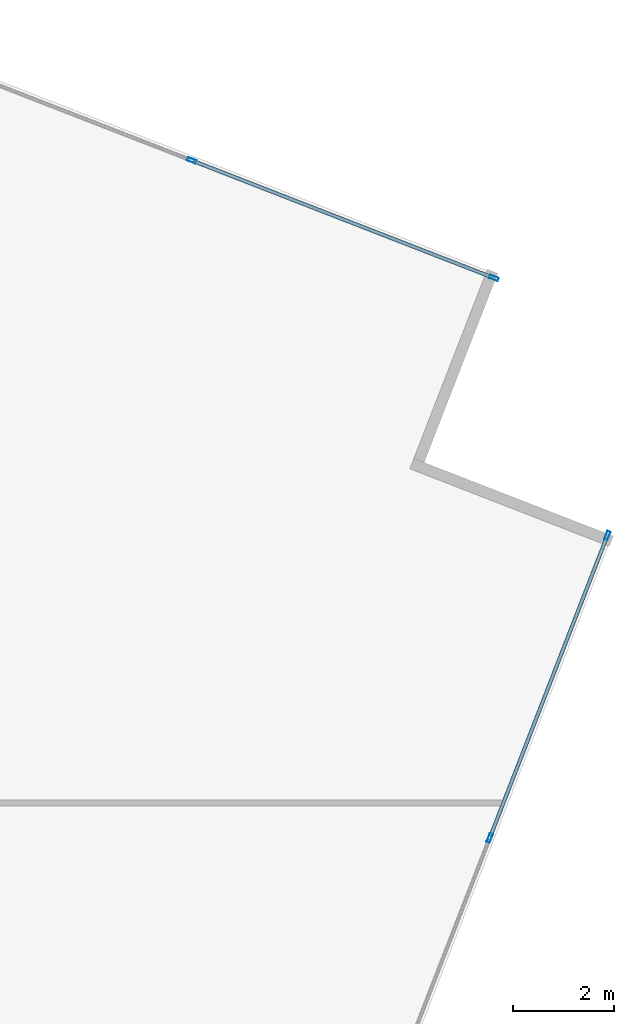
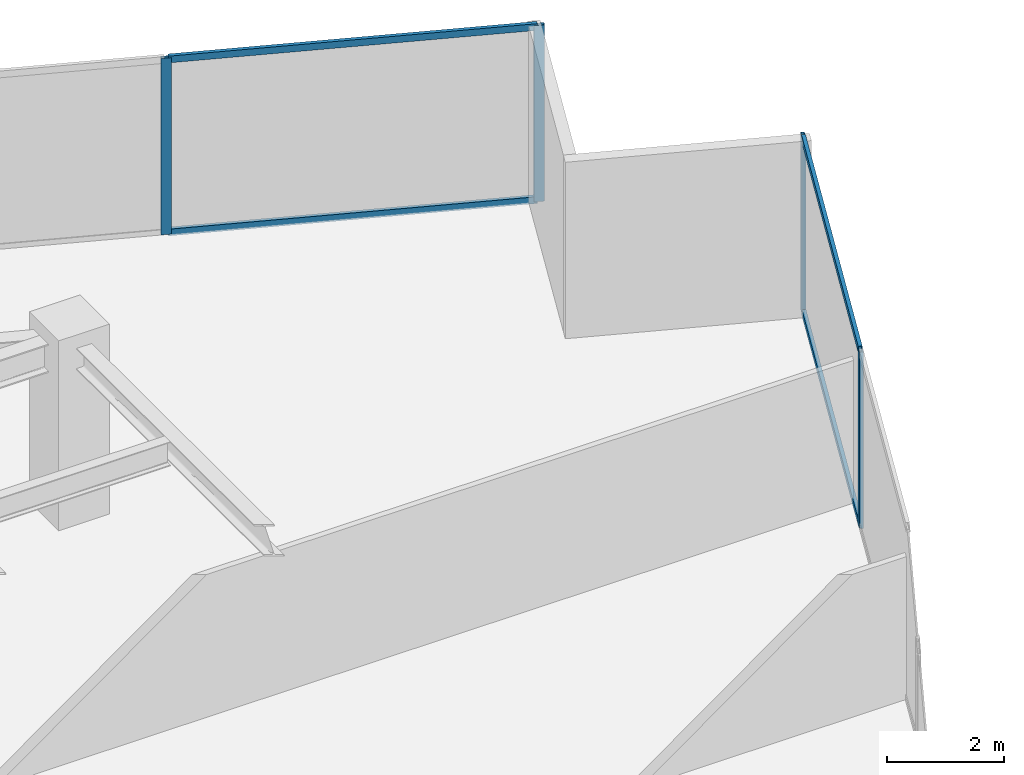
# One storey, part 19 of 26: 8 members, 2 elements without a shape of their own.
"""IFC4 building model written with IfcOpenShell, lengths in metres."""

import ifcopenshell
import ifcopenshell.guid

model = None  # the IFC model being written
_history = None  # IfcOwnerHistory: only IFC2X3 demands one
_inside = {}  # id of a spatial element -> (the spatial element, [elements in it])
_under = {}  # id of a project, library or spatial element -> (it, [spatial elements below it])
_declared = {}  # id of a project -> (the project, [libraries it declares])
_typed = {}  # id of a type object -> (the type object, [elements of that type])
_made_of = {}  # id of a material, layer set ... -> (it, [elements and type objects made of it])


def new_model(schema):
    """Start an empty IFC model of exactly this schema.

    Asked for "IFC4X3", IfcOpenShell would pick the latest addendum, in which some entities
    have other attributes; the version numbers below select the first issue.
    IFC2X3 requires an IfcOwnerHistory on every rooted entity: one is made here for all.
    """
    global model, _history
    if schema == "IFC4X3":
        model = ifcopenshell.file(schema_version=(4, 3, 0, 0))
    else:
        model = ifcopenshell.file(schema=schema)
    _inside.clear()
    _under.clear()
    _declared.clear()
    _typed.clear()
    _made_of.clear()
    _history = None
    if model.schema == "IFC2X3":
        org = make("IfcOrganization", Name="unknown")
        user = make(
            "IfcPersonAndOrganization",
            ThePerson=make("IfcPerson", FamilyName="unknown"),
            TheOrganization=org,
        )
        app = make(
            "IfcApplication",
            ApplicationDeveloper=org,
            Version="unknown",
            ApplicationFullName="unknown",
            ApplicationIdentifier="unknown",
        )
        _history = make(
            "IfcOwnerHistory",
            OwningUser=user,
            OwningApplication=app,
            ChangeAction="ADDED",
            CreationDate=0,
        )
    return model


def make(cls, **values):
    """One entity of the class cls with the attributes given. An attribute that is None is left unset."""
    return model.create_entity(
        cls, **{name: value for name, value in values.items() if value is not None}
    )


def rooted(cls, **values):
    """An entity with a GlobalId (a new one), such as an element, a storey or a relation."""
    return make(cls, GlobalId=ifcopenshell.guid.new(), OwnerHistory=_history, **values)


def si_unit(unit_type, name, prefix=None):
    """IfcSIUnit, for example si_unit("LENGTHUNIT", "METRE", prefix="MILLI")."""
    return make("IfcSIUnit", UnitType=unit_type, Prefix=prefix, Name=name)


def assignment(units):
    """IfcUnitAssignment: the units of a project."""
    return None if units is None else make("IfcUnitAssignment", Units=units)


def point(xyz):
    """IfcCartesianPoint."""
    return None if xyz is None else make("IfcCartesianPoint", Coordinates=xyz)


def direction(xyz):
    """IfcDirection."""
    return None if xyz is None else make("IfcDirection", DirectionRatios=xyz)


def frame(location, z_axis=None, x_axis=None):
    """IfcAxis2Placement3D, a coordinate frame: its origin and axes. An axis left out is left unset."""
    return make(
        "IfcAxis2Placement3D",
        Location=point(location),
        Axis=direction(z_axis),
        RefDirection=direction(x_axis),
    )


def frame_2d(location, x_axis=None):
    """IfcAxis2Placement2D, a coordinate frame in the plane: its origin and x axis."""
    return make(
        "IfcAxis2Placement2D", Location=point(location), RefDirection=direction(x_axis)
    )


def origin():
    """The frame at (0, 0, 0) with its axes left unset."""
    return frame((0.0, 0.0, 0.0))


def origin_2d():
    """The frame at (0, 0) in the plane with its x axis left unset."""
    return frame_2d((0.0, 0.0))


def place(relative_to, where):
    """IfcLocalPlacement: puts the frame where relative to a parent placement (None: the world)."""
    return make(
        "IfcLocalPlacement", PlacementRelTo=relative_to, RelativePlacement=where
    )


def context(
    kind, dimensions, precision=None, world=None, true_north=None, identifier=None
):
    """IfcGeometricRepresentationContext, for example the 3D "Model" context."""
    return make(
        "IfcGeometricRepresentationContext",
        ContextIdentifier=identifier,
        ContextType=kind,
        CoordinateSpaceDimension=dimensions,
        Precision=precision,
        WorldCoordinateSystem=world,
        TrueNorth=true_north,
    )


def subcontext(parent, identifier, kind, view, scale=None):
    """IfcGeometricRepresentationSubContext, for example "Body" below "Model"."""
    return make(
        "IfcGeometricRepresentationSubContext",
        ContextIdentifier=identifier,
        ContextType=kind,
        ParentContext=parent,
        TargetScale=scale,
        TargetView=view,
    )


def project(units=None, contexts=None):
    """IfcProject with its units and contexts."""
    return rooted(
        "IfcProject",
        Name="project",
        RepresentationContexts=contexts,
        UnitsInContext=assignment(units),
    )


def spatial(cls, under=None, at=None, **own):
    """A site, building, storey or space (cls), placed at a placement, below another one or the project."""
    s = rooted(cls, ObjectPlacement=at, **own)
    if under is not None:
        _under.setdefault(under.id(), (under, []))[1].append(s)
    return s


def profile(cls, at=None, kind="AREA", **sizes):
    """A parametric profile (cls). Its sizes go by their IFC names, for example OverallWidth=200.0."""
    return make(cls, ProfileType=kind, Position=at, **sizes)


def hollow_rectangle(**sizes):
    """IfcRectangleHollowProfileDef."""
    return profile("IfcRectangleHollowProfileDef", **sizes)


def extrude(swept, where, along, depth):
    """IfcExtrudedAreaSolid: the profile swept, set in the frame where, extruded along a direction by depth."""
    return make(
        "IfcExtrudedAreaSolid",
        SweptArea=swept,
        Position=where,
        ExtrudedDirection=direction(along),
        Depth=depth,
    )


def shape(context_of_items, identifier, shape_type, items):
    """IfcShapeRepresentation: the items that make up one representation, for example the "Body"."""
    return make(
        "IfcShapeRepresentation",
        ContextOfItems=context_of_items,
        RepresentationIdentifier=identifier,
        RepresentationType=shape_type,
        Items=items,
    )


def source(mapping_origin, context_of_items, identifier, shape_type, items):
    """IfcRepresentationMap: a shape defined once, which mapped items show again and again."""
    return make(
        "IfcRepresentationMap",
        MappingOrigin=mapping_origin,
        MappedRepresentation=shape(context_of_items, identifier, shape_type, items),
    )


def transform(
    local_origin,
    x_axis=None,
    y_axis=None,
    z_axis=None,
    scale=None,
    scale2=None,
    scale3=None,
    uniform=True,
):
    """IfcCartesianTransformationOperator3D, or its non-uniform kind. x_axis, y_axis, z_axis: its Axis1, 2, 3."""
    if uniform:
        return make(
            "IfcCartesianTransformationOperator3D",
            Axis1=direction(x_axis),
            Axis2=direction(y_axis),
            LocalOrigin=point(local_origin),
            Scale=scale,
            Axis3=direction(z_axis),
        )
    return make(
        "IfcCartesianTransformationOperator3DnonUniform",
        Axis1=direction(x_axis),
        Axis2=direction(y_axis),
        LocalOrigin=point(local_origin),
        Scale=scale,
        Axis3=direction(z_axis),
        Scale2=scale2,
        Scale3=scale3,
    )


def mapped(mapping_source, mapping_target):
    """IfcMappedItem: shows the shape of a source again, moved by a transform."""
    return make(
        "IfcMappedItem", MappingSource=mapping_source, MappingTarget=mapping_target
    )


def material(Name=None, Category=None):
    """IfcMaterial."""
    return make("IfcMaterial", Name=Name, Category=Category)


def material_profile(
    of_material, cross_section, Name=None, Category=None, Priority=None
):
    """IfcMaterialProfile: a cross section and its material."""
    return make(
        "IfcMaterialProfile",
        Name=Name,
        Material=of_material,
        Profile=cross_section,
        Priority=Priority,
        Category=Category,
    )


def profile_set(profiles, Name=None, composite=None):
    """IfcMaterialProfileSet."""
    return make(
        "IfcMaterialProfileSet",
        Name=Name,
        MaterialProfiles=profiles,
        CompositeProfile=composite,
    )


def made_of(thing, what):
    """Note that an element or type object is made of a material, layer set ...; save() writes the relation."""
    if what is not None:
        _made_of.setdefault(what.id(), (what, []))[1].append(thing)
    return thing


def type_object(cls, material=None, **own):
    """A type object (cls), such as IfcWallType, which elements share."""
    return made_of(rooted(cls, **own), material)


def type_shapes(of_type, sources):
    """Give a type object the sources (RepresentationMaps) that its elements show as mapped items."""
    of_type.RepresentationMaps = sources


def element(
    cls,
    number,
    at=None,
    inside=None,
    cuts=None,
    type_object=None,
    material=None,
    context=None,
    identifier="Body",
    shape_type=None,
    held_by="IfcProductDefinitionShape",
    body=None,
    shapes=None,
    **own,
):
    """One element of the class cls, such as IfcWall. Its Tag is "e" and its number.

    at: its placement. inside: the storey or other place that contains it. cuts: it is an
    opening in that element (IfcRelVoidsElement). A single representation is given by context,
    identifier, shape_type and body (its items); several are given by shapes. held_by: the class
    of the entity that holds the representations. save() writes the other relations.
    """
    e = rooted(cls, Tag="e%d" % number, ObjectPlacement=at, **own)
    if body is not None:
        shapes = [shape(context, identifier, shape_type, body)]
    if shapes is not None:
        e.Representation = make(held_by, Representations=shapes)
    if inside is not None:
        _inside.setdefault(inside.id(), (inside, []))[1].append(e)
    if cuts is not None:
        rooted(
            "IfcRelVoidsElement", RelatingBuildingElement=cuts, RelatedOpeningElement=e
        )
    if type_object is not None:
        _typed.setdefault(type_object.id(), (type_object, []))[1].append(e)
    return made_of(e, material)


def aggregate(whole, parts):
    """IfcRelAggregates: a whole, such as a stair, and the parts it consists of."""
    return rooted("IfcRelAggregates", RelatingObject=whole, RelatedObjects=parts)


def save(model, path):
    """Write the relations noted so far, then the file.

    IfcRelAggregates (storeys below a building ...), IfcRelContainedInSpatialStructure (elements
    in a storey), IfcRelDefinesByType, IfcRelAssociatesMaterial and IfcRelDeclares: one each for
    every whole, place, type object, material and project.
    """
    for whole, parts in _under.values():
        aggregate(whole, parts)
    for where, things in _inside.values():
        rooted(
            "IfcRelContainedInSpatialStructure",
            RelatedElements=things,
            RelatingStructure=where,
        )
    for kind, things in _typed.values():
        rooted("IfcRelDefinesByType", RelatedObjects=things, RelatingType=kind)
    for what, things in _made_of.values():
        rooted("IfcRelAssociatesMaterial", RelatedObjects=things, RelatingMaterial=what)
    for by, libraries in _declared.values():
        rooted("IfcRelDeclares", RelatingContext=by, RelatedDefinitions=libraries)
    model.write(path)


model = new_model("IFC4")

# Units and contexts
model_context = context("Model", 3, precision=1e-05, world=origin(), true_north=direction((0.0, 1.0)))
body_context = subcontext(model_context, "Body", "Model", "MODEL_VIEW")
ifc_project = project(units=[si_unit("LENGTHUNIT", "METRE"), si_unit("AREAUNIT", "SQUARE_METRE"), si_unit("VOLUMEUNIT", "CUBIC_METRE"), si_unit("PLANEANGLEUNIT", "RADIAN"), si_unit("MASSUNIT", "GRAM", prefix="KILO")], contexts=[model_context])

# Site, building, storey
site_placement = place(None, origin())
site = spatial("IfcSite", under=ifc_project, at=site_placement, CompositionType="ELEMENT")
building_placement = place(site_placement, origin())
building = spatial("IfcBuilding", under=site, at=building_placement, Name="Krantzveldt Concourse Tower", CompositionType="ELEMENT")
storey_placement = place(building_placement, frame((0.0, 0.0, 133.5)))
storey = spatial("IfcBuildingStorey", under=building, at=storey_placement, Name="L32", CompositionType="ELEMENT", Elevation=133.5)

# Curtain wall, members
ifc_material = material(Name="Anodised aluminium 6063-T6", Category="aluminium")
curtain_wall_type = type_object("IfcCurtainWallType", Name="CW2", PredefinedType="USERDEFINED", material=ifc_material)
curtain_wall_1_placement = place(storey_placement, origin())
curtain_wall_1 = element("IfcCurtainWall", 1, at=curtain_wall_1_placement, inside=storey, type_object=curtain_wall_type, Name="CW-L32-F11", ObjectType="UNITISED CURTAIN WALL", PredefinedType="USERDEFINED")
ifc_material_profile_1 = material_profile(ifc_material, hollow_rectangle(XDim=0.070068359375, YDim=0.179931640625, WallThickness=0.0048828125, at=origin_2d()), Name="Anodised aluminium 6063-T6", Category="aluminium")
ifc_profile_set_1 = profile_set([ifc_material_profile_1], Name="Anodised aluminium 6063-T6 - ALU-MULL 180x70x5")
member_type_1 = type_object("IfcMemberType", Name="CW-MUL-180", PredefinedType="MULLION", material=ifc_profile_set_1)
shared_shape_1 = source(origin(), body_context, "Body", "SweptSolid", [
    extrude(hollow_rectangle(XDim=0.070068359375, YDim=0.179931640625, WallThickness=0.0048828125, at=origin_2d()), origin(), (0.0, 0.0, 1.0), 3.669921875),
])
type_shapes(member_type_1, [shared_shape_1])
member_1_placement = place(storey_placement, frame((62.41259765625, 30.305419921875, 0.0), z_axis=(0.0, 0.0, 1.0), x_axis=(-0.93200790248, 0.362437952917, 0.0)))
member_1 = element("IfcMember", 2, at=member_1_placement, type_object=member_type_1, Name="CW-Z12 mullion 6", PredefinedType="MULLION", context=body_context, shape_type="MappedRepresentation", body=[
    mapped(shared_shape_1, transform((0.0, 0.0, 0.0), x_axis=(1.0, 0.0, 0.0), y_axis=(0.0, 1.0, 0.0), z_axis=(0.0, 0.0, 1.0), scale=1.0)),
])
member_2_placement = place(storey_placement, frame((64.74365234375, 36.2998046875, 0.0), z_axis=(0.0, 0.0, 1.0), x_axis=(-0.93200790248, 0.362437952917, 0.0)))
member_2 = element("IfcMember", 3, at=member_2_placement, type_object=member_type_1, Name="CW-Z12 mullion 7", PredefinedType="MULLION", context=body_context, shape_type="MappedRepresentation", body=[
    mapped(shared_shape_1, transform((0.0, 0.0, 0.0), x_axis=(1.0, 0.0, 0.0), y_axis=(0.0, 1.0, 0.0), z_axis=(0.0, 0.0, 1.0), scale=1.0)),
])

curtain_wall_2_placement = place(storey_placement, origin())
curtain_wall_2 = element("IfcCurtainWall", 4, at=curtain_wall_2_placement, inside=storey, type_object=curtain_wall_type, Name="CW-L32-F14", ObjectType="UNITISED CURTAIN WALL", PredefinedType="USERDEFINED")
member_3_placement = place(storey_placement, frame((62.496826171875, 41.406494140625, 0.0), z_axis=(0.0, 0.0, 1.0), x_axis=(-0.362437952917, -0.93200790248, 0.0)))
member_3 = element("IfcMember", 5, at=member_3_placement, type_object=member_type_1, Name="CW-Z12 mullion 1", PredefinedType="MULLION", context=body_context, shape_type="MappedRepresentation", body=[
    mapped(shared_shape_1, transform((0.0, 0.0, 0.0), x_axis=(1.0, 0.0, 0.0), y_axis=(0.0, 1.0, 0.0), z_axis=(0.0, 0.0, 1.0), scale=1.0)),
])
member_4_placement = place(storey_placement, frame((56.50244140625, 43.737548828125, 0.0), z_axis=(0.0, 0.0, 1.0), x_axis=(-0.362437952917, -0.93200790248, 0.0)))
member_4 = element("IfcMember", 6, at=member_4_placement, type_object=member_type_1, Name="CW-Z12 mullion 2", PredefinedType="MULLION", context=body_context, shape_type="MappedRepresentation", body=[
    mapped(shared_shape_1, transform((0.0, 0.0, 0.0), x_axis=(1.0, 0.0, 0.0), y_axis=(0.0, 1.0, 0.0), z_axis=(0.0, 0.0, 1.0), scale=1.0)),
])

# Member
ifc_material_profile_2 = material_profile(ifc_material, hollow_rectangle(XDim=0.070068359375, YDim=0.139892578125, WallThickness=0.0048828125, at=origin_2d()), Name="Anodised aluminium 6063-T6", Category="aluminium")
ifc_profile_set_2 = profile_set([ifc_material_profile_2], Name="Anodised aluminium 6063-T6 - ALU-TRAN 140x70x5")
member_type_2 = type_object("IfcMemberType", Name="CW-TRN-150", PredefinedType="USERDEFINED", material=ifc_profile_set_2)
shared_shape_2 = source(origin(), body_context, "Body", "SweptSolid", [
    extrude(hollow_rectangle(XDim=0.070068359375, YDim=0.139892578125, WallThickness=0.0048828125, at=origin_2d()), origin(), (0.0, 0.0, 1.0), 6.36181640625),
])
type_shapes(member_type_2, [shared_shape_2])
member_5_placement = place(storey_placement, frame((62.42529296875, 30.338134765625, 0.034912109375), z_axis=(0.362427741589, 0.932011873383, 0.0), x_axis=(-0.932011873383, 0.362427741589, 0.0)))
member_5 = element("IfcMember", 7, at=member_5_placement, type_object=member_type_2, Name="CW-Z12 transom 6.1", ObjectType="TRANSOM", PredefinedType="USERDEFINED", context=body_context, shape_type="MappedRepresentation", body=[
    mapped(shared_shape_2, transform((0.0, 0.0, 0.0), x_axis=(1.0, 0.0, 0.0), y_axis=(0.0, 1.0, 0.0), z_axis=(0.0, 0.0, 1.0), scale=1.0)),
])

member_6_placement = place(storey_placement, frame((62.42529296875, 30.338134765625, 3.635009765625), z_axis=(0.362427741589, 0.932011873383, 0.0), x_axis=(-0.932011873383, 0.362427741589, 0.0)))
member_6 = element("IfcMember", 8, at=member_6_placement, type_object=member_type_2, Name="CW-Z12 transom 6.2", ObjectType="TRANSOM", PredefinedType="USERDEFINED", context=body_context, shape_type="MappedRepresentation", body=[
    mapped(shared_shape_2, transform((0.0, 0.0, 0.0), x_axis=(1.0, 0.0, 0.0), y_axis=(0.0, 1.0, 0.0), z_axis=(0.0, 0.0, 1.0), scale=1.0)),
])

aggregate(curtain_wall_1, [member_1, member_2, member_5, member_6])

member_7_placement = place(storey_placement, frame((62.464111328125, 41.419189453125, 0.034912109375), z_axis=(-0.932011873383, 0.362427741589, 0.0), x_axis=(-0.362427741589, -0.932011873383, 0.0)))
member_7 = element("IfcMember", 9, at=member_7_placement, type_object=member_type_2, Name="CW-Z12 transom 1.1", ObjectType="TRANSOM", PredefinedType="USERDEFINED", context=body_context, shape_type="MappedRepresentation", body=[
    mapped(shared_shape_2, transform((0.0, 0.0, 0.0), x_axis=(1.0, 0.0, 0.0), y_axis=(0.0, 1.0, 0.0), z_axis=(0.0, 0.0, 1.0), scale=1.0)),
])

member_8_placement = place(storey_placement, frame((62.464111328125, 41.419189453125, 3.635009765625), z_axis=(-0.932011873383, 0.362427741589, 0.0), x_axis=(-0.362427741589, -0.932011873383, 0.0)))
member_8 = element("IfcMember", 10, at=member_8_placement, type_object=member_type_2, Name="CW-Z12 transom 1.2", ObjectType="TRANSOM", PredefinedType="USERDEFINED", context=body_context, shape_type="MappedRepresentation", body=[
    mapped(shared_shape_2, transform((0.0, 0.0, 0.0), x_axis=(1.0, 0.0, 0.0), y_axis=(0.0, 1.0, 0.0), z_axis=(0.0, 0.0, 1.0), scale=1.0)),
])

aggregate(curtain_wall_2, [member_3, member_4, member_7, member_8])

save(model, "model.ifc")
